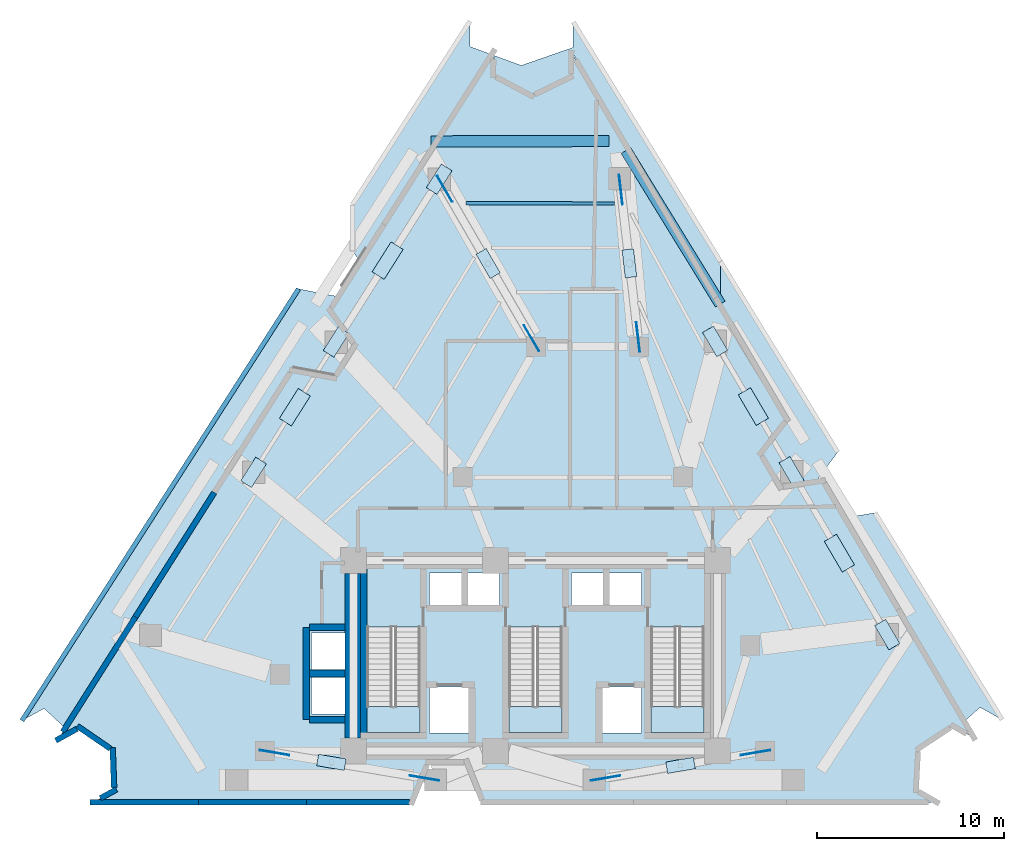
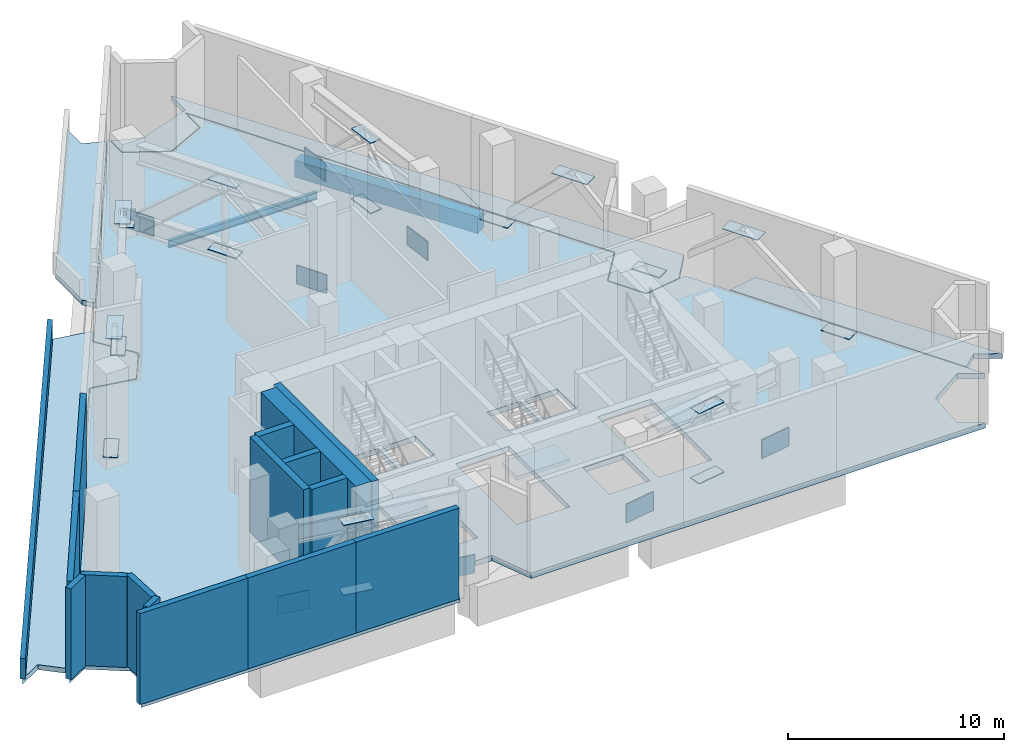
# One storey, part 6 of 9: 26 plates, 16 walls, 9 slabs, 3 beams, 3 elements without a shape of their own.
"""IFC4 building model written with IfcOpenShell, lengths in metres."""

from ifc_helpers import new_model, si_unit, direction, frame, frame_2d, origin, origin_2d, place, context, subcontext, project, spatial, polyline, rectangle, i_section, outline, extrude, material, layer, layer_set, material_profile, profile_set, type_object, element, aggregate, save


model = new_model("IFC4")

# Units and contexts
model_context = context("Model", 3, precision=1e-05, world=origin(), true_north=direction((0.0, 1.0)))
body_context = subcontext(model_context, "Body", "Model", "MODEL_VIEW")
ifc_project = project(units=[si_unit("LENGTHUNIT", "METRE"), si_unit("AREAUNIT", "SQUARE_METRE"), si_unit("VOLUMEUNIT", "CUBIC_METRE"), si_unit("PLANEANGLEUNIT", "RADIAN"), si_unit("MASSUNIT", "GRAM", prefix="KILO")], contexts=[model_context])

# Site, building, storey
site_placement = place(None, origin())
site = spatial("IfcSite", under=ifc_project, at=site_placement, CompositionType="ELEMENT")
building_placement = place(site_placement, origin())
building = spatial("IfcBuilding", under=site, at=building_placement, Name="Almagre Mirador Tower", CompositionType="ELEMENT")
storey_placement = place(building_placement, frame((0.0, 0.0, 105.0)))
storey = spatial("IfcBuildingStorey", under=building, at=storey_placement, Name="L26", CompositionType="ELEMENT", Elevation=105.0)

# Beams
ifc_material_1 = material(Name="Steel ASTM A992 Grade 50", Category="steel")
ifc_material_profile_1 = material_profile(ifc_material_1, i_section(OverallWidth=0.178955078125, OverallDepth=0.408935546875, WebThickness=0.0087890625, FlangeThickness=0.014404296875, FilletRadius=0.013916015625, at=origin_2d()), Name="W16X45")
ifc_profile_set_1 = profile_set([ifc_material_profile_1], Name="Steel ASTM A992 Grade 50")
beam_type_1 = type_object("IfcBeamType", Name="BM-JST-W16X45", PredefinedType="JOIST", material=ifc_profile_set_1)
beam_1_placement = place(storey_placement, frame((41.537109375, 33.8642578125, -0.50439453125), z_axis=(-0.999997694124, 0.002147497809, 0.0), x_axis=(-0.002147497809, -0.999997694124, 0.0)))
element("IfcBeam", 1, at=beam_1_placement, inside=storey, type_object=beam_type_1, Name="L26 secondary floor joist PC08-PC09.1", PredefinedType="JOIST", context=body_context, shape_type="SweptSolid", body=[
    extrude(i_section(OverallWidth=0.178955078125, OverallDepth=0.408935546875, WebThickness=0.0087890625, FlangeThickness=0.014404296875, FilletRadius=0.013916015625, at=origin_2d()), origin(), (0.0, 0.0, 1.0), 7.9580078125),
])
ifc_material_2 = material(Name="Precast concrete C50/60", Category="concrete")
ifc_material_profile_2 = material_profile(ifc_material_2, rectangle(XDim=0.60009765625, YDim=0.949951171875, at=origin_2d()), Name="RC600X950")
ifc_profile_set_2 = profile_set([ifc_material_profile_2], Name="Precast concrete C50/60")
beam_type_2 = type_object("IfcBeamType", Name="BM-SPN-RC600X950", PredefinedType="SPANDREL", material=ifc_profile_set_2)
beam_2_placement = place(storey_placement, frame((47.19189453125, 28.47900390625, -0.77490234375), z_axis=(-0.523685040843, 0.851911954369, 0.0), x_axis=(-0.851911954369, -0.523685040843, 0.0)))
element("IfcBeam", 2, at=beam_2_placement, inside=storey, type_object=beam_type_2, Name="L26 perimeter spandrel beam PC07-PC08", PredefinedType="SPANDREL", context=body_context, shape_type="SweptSolid", body=[
    extrude(rectangle(XDim=0.60009765625, YDim=0.949951171875, at=origin_2d()), origin(), (0.0, 0.0, 1.0), 9.646484375),
])
beam_3_placement = place(storey_placement, frame((41.22607421875, 37.206787109375, -0.77490234375), z_axis=(-0.999998482053, -0.001742380833, 0.0), x_axis=(0.001742380833, -0.999998482053, 0.0)))
element("IfcBeam", 3, at=beam_3_placement, inside=storey, type_object=beam_type_2, Name="L26 perimeter spandrel beam PC08-PC09", PredefinedType="SPANDREL", context=body_context, shape_type="SweptSolid", body=[
    extrude(rectangle(XDim=0.60009765625, YDim=0.949951171875, at=origin_2d()), origin(), (0.0, 0.0, 1.0), 9.528076171875),
])

# Plates
ifc_material_3 = material(Name="Steel ASTM A572 Grade 50", Category="steel")
ifc_layer_1 = layer(ifc_material_3, 0.035888671875)
ifc_layer_set_1 = layer_set([ifc_layer_1], Name="Steel ASTM A572 Grade 50")
plate_type_1 = type_object("IfcPlateType", Name="PLT-GUS-1350X900X36", PredefinedType="USERDEFINED", material=ifc_layer_set_1)
for number, where, z_axis, x_axis, name in (
    (4, (56.133056640625, 10.783935546875, 0.6318359375), (0.0, 0.0, 1.0), (-0.506334807353, 0.862336977557, 0.0), "L26 belt truss base gusset GP-BT-PC05"),
    (5, (51.012939453125, 19.50390625, 0.6318359375), (0.0, 0.0, 1.0), (-0.506334807353, 0.862336977557, 0.0), "L26 belt truss base gusset GP-BT-PC06"),
    (6, (46.9169921875, 26.47998046875, 0.6318359375), (0.0, 0.0, 1.0), (-0.506334807353, 0.862336977557, 0.0), "L26 belt truss base gusset GP-BT-PC07"),
    (7, (32.14208984375, 35.166015625, 0.6318359375), (0.0, 0.0, 1.0), (-0.53486859073, -0.84493525826, 0.0), "L26 belt truss base gusset GP-BT-PC09"),
    (8, (26.6220703125, 26.446044921875, 0.6318359375), (0.0, 0.0, 1.0), (-0.53486859073, -0.84493525826, 0.0), "L26 belt truss base gusset GP-BT-PC10"),
    (9, (22.2060546875, 19.469970703125, 0.6318359375), (0.0, 0.0, 1.0), (-0.53486859073, -0.84493525826, 0.0), "L26 belt truss base gusset GP-BT-PC11"),
):
    element("IfcPlate", number, at=place(storey_placement, frame(where, z_axis=z_axis, x_axis=x_axis)), inside=storey, type_object=plate_type_1, Name=name, ObjectType="GUSSET_PLATE", PredefinedType="USERDEFINED", context=body_context, shape_type="SweptSolid", body=[
        extrude(rectangle(XDim=1.5, YDim=0.679931640625, at=origin_2d()), origin(), (0.0, 0.0, 1.0), 0.035888671875),
    ])
ifc_material_4 = material(Name="Steel ASTM A572 Grade 50", Category="steel")
ifc_layer_2 = layer(ifc_material_4, 0.0400390625)
ifc_layer_set_2 = layer_set([ifc_layer_2], Name="Steel ASTM A572 Grade 50")
plate_type_2 = type_object("IfcPlateType", Name="PLT-GUS-1600X1050X40", PredefinedType="USERDEFINED", material=ifc_layer_set_2)
plate_1_placement = place(storey_placement, frame((31.352294921875, 3.100341796875, 0.125), z_axis=(0.0, 0.0, 1.0), x_axis=(-0.985934846906, 0.167130121929, 0.0)))
element("IfcPlate", 10, at=plate_1_placement, inside=storey, type_object=plate_type_2, Name="L26 outrigger node gusset plate GP-2.1.1", ObjectType="GUSSET_PLATE", PredefinedType="USERDEFINED", context=body_context, shape_type="SweptSolid", body=[
    extrude(rectangle(XDim=1.60009765625, YDim=0.0400390625, at=origin_2d()), origin(), (0.0, 0.0, 1.0), 1.050048828125),
])
for number, where, z_axis, x_axis, name in (
    (11, (26.370849609375, 3.944580078125, 0.6298828125), (0.0, 0.0, 1.0), (-0.985934846906, 0.167130121929, 0.0), "L26 outrigger bottom node gusset GP-B2.1.1"),
    (12, (26.370849609375, 3.944580078125, 4.58642578125), (0.0, 0.0, 1.0), (-0.985934846906, 0.167130121929, 0.0), "L26 outrigger top node gusset GP-T2.1.1"),
):
    element("IfcPlate", number, at=place(storey_placement, frame(where, z_axis=z_axis, x_axis=x_axis)), inside=storey, type_object=plate_type_2, Name=name, ObjectType="GUSSET_PLATE", PredefinedType="USERDEFINED", context=body_context, shape_type="SweptSolid", body=[
        extrude(rectangle(XDim=1.5, YDim=0.6201171875, at=origin_2d()), origin(), (0.0, 0.0, 1.0), 0.0400390625),
    ])
for number, where, z_axis, x_axis, name in (
    (13, (23.317626953125, 4.46240234375, 0.125), (0.0, 0.0, 1.0), (-0.985934846906, 0.167130121929, 0.0), "L26 outrigger core embed gusset plate GP-2.1.E"),
    (14, (41.047607421875, 3.100341796875, 0.125), (0.0, 0.0, 1.0), (0.985934846906, 0.167130121929, 0.0), "L26 outrigger node gusset plate GP-2.2.1"),
):
    element("IfcPlate", number, at=place(storey_placement, frame(where, z_axis=z_axis, x_axis=x_axis)), inside=storey, type_object=plate_type_2, Name=name, ObjectType="GUSSET_PLATE", PredefinedType="USERDEFINED", context=body_context, shape_type="SweptSolid", body=[
        extrude(rectangle(XDim=1.60009765625, YDim=0.0400390625, at=origin_2d()), origin(), (0.0, 0.0, 1.0), 1.050048828125),
    ])
for number, where, z_axis, x_axis, name in (
    (15, (45.06494140625, 3.78125, 0.6298828125), (0.0, 0.0, 1.0), (0.985934846906, 0.167130121929, 0.0), "L26 outrigger bottom node gusset GP-B2.2.1"),
    (16, (45.06494140625, 3.78125, 4.58642578125), (0.0, 0.0, 1.0), (0.985934846906, 0.167130121929, 0.0), "L26 outrigger top node gusset GP-T2.2.1"),
):
    element("IfcPlate", number, at=place(storey_placement, frame(where, z_axis=z_axis, x_axis=x_axis)), inside=storey, type_object=plate_type_2, Name=name, ObjectType="GUSSET_PLATE", PredefinedType="USERDEFINED", context=body_context, shape_type="SweptSolid", body=[
        extrude(rectangle(XDim=1.5, YDim=0.6201171875, at=origin_2d()), origin(), (0.0, 0.0, 1.0), 0.0400390625),
    ])
for number, where, z_axis, x_axis, name in (
    (17, (49.08251953125, 4.46240234375, 0.125), (0.0, 0.0, 1.0), (0.985934846906, 0.167130121929, 0.0), "L26 outrigger core embed gusset plate GP-2.2.E"),
    (18, (41.86669921875, 34.60400390625, 0.125), (0.0, 0.0, 1.0), (0.11620270352, -0.993225519051, 0.0), "L26 outrigger node gusset plate GP-2.3.1"),
):
    element("IfcPlate", number, at=place(storey_placement, frame(where, z_axis=z_axis, x_axis=x_axis)), inside=storey, type_object=plate_type_2, Name=name, ObjectType="GUSSET_PLATE", PredefinedType="USERDEFINED", context=body_context, shape_type="SweptSolid", body=[
        extrude(rectangle(XDim=1.60009765625, YDim=0.0400390625, at=origin_2d()), origin(), (0.0, 0.0, 1.0), 1.050048828125),
    ])
for number, where, z_axis, x_axis, name in (
    (19, (42.327880859375, 30.662841796875, 0.6298828125), (0.0, 0.0, 1.0), (0.11620270352, -0.993225519051, 0.0), "L26 outrigger bottom node gusset GP-B2.3.1"),
    (20, (42.327880859375, 30.662841796875, 4.58642578125), (0.0, 0.0, 1.0), (0.11620270352, -0.993225519051, 0.0), "L26 outrigger top node gusset GP-T2.3.1"),
):
    element("IfcPlate", number, at=place(storey_placement, frame(where, z_axis=z_axis, x_axis=x_axis)), inside=storey, type_object=plate_type_2, Name=name, ObjectType="GUSSET_PLATE", PredefinedType="USERDEFINED", context=body_context, shape_type="SweptSolid", body=[
        extrude(rectangle(XDim=1.5, YDim=0.6201171875, at=origin_2d()), origin(), (0.0, 0.0, 1.0), 0.0400390625),
    ])
for number, where, z_axis, x_axis, name in (
    (21, (42.7890625, 26.721435546875, 0.125), (0.0, 0.0, 1.0), (0.11620270352, -0.993225519051, 0.0), "L26 outrigger core embed gusset plate GP-2.3.E"),
    (22, (32.443359375, 34.647216796875, 0.125), (0.0, 0.0, 1.0), (0.502265533143, -0.86471344052, 0.0), "L26 outrigger node gusset plate GP-2.4.1"),
):
    element("IfcPlate", number, at=place(storey_placement, frame(where, z_axis=z_axis, x_axis=x_axis)), inside=storey, type_object=plate_type_2, Name=name, ObjectType="GUSSET_PLATE", PredefinedType="USERDEFINED", context=body_context, shape_type="SweptSolid", body=[
        extrude(rectangle(XDim=1.60009765625, YDim=0.0400390625, at=origin_2d()), origin(), (0.0, 0.0, 1.0), 1.050048828125),
    ])
for number, where, z_axis, x_axis, name in (
    (23, (34.764892578125, 30.650634765625, 0.6298828125), (0.0, 0.0, 1.0), (0.502265533143, -0.86471344052, 0.0), "L26 outrigger bottom node gusset GP-B2.4.1"),
    (24, (34.764892578125, 30.650634765625, 4.58642578125), (0.0, 0.0, 1.0), (0.502265533143, -0.86471344052, 0.0), "L26 outrigger top node gusset GP-T2.4.1"),
):
    element("IfcPlate", number, at=place(storey_placement, frame(where, z_axis=z_axis, x_axis=x_axis)), inside=storey, type_object=plate_type_2, Name=name, ObjectType="GUSSET_PLATE", PredefinedType="USERDEFINED", context=body_context, shape_type="SweptSolid", body=[
        extrude(rectangle(XDim=1.5, YDim=0.6201171875, at=origin_2d()), origin(), (0.0, 0.0, 1.0), 0.0400390625),
    ])
plate_2_placement = place(storey_placement, frame((37.086181640625, 26.654052734375, 0.125), z_axis=(0.0, 0.0, 1.0), x_axis=(0.502265533143, -0.86471344052, 0.0)))
element("IfcPlate", 25, at=plate_2_placement, inside=storey, type_object=plate_type_2, Name="L26 outrigger core embed gusset plate GP-2.4.E", ObjectType="GUSSET_PLATE", PredefinedType="USERDEFINED", context=body_context, shape_type="SweptSolid", body=[
    extrude(rectangle(XDim=1.60009765625, YDim=0.0400390625, at=origin_2d()), origin(), (0.0, 0.0, 1.0), 1.050048828125),
])
for number, where, z_axis, x_axis, name in (
    (26, (53.572998046875, 15.14404296875, 4.58642578125), (0.0, 0.0, 1.0), (-0.506334807353, 0.862336977557, 0.0), "L26 belt truss apex node gusset GP-BT-1"),
    (27, (48.965087890625, 22.991943359375, 4.58642578125), (0.0, 0.0, 1.0), (-0.506334807353, 0.862336977557, 0.0), "L26 belt truss apex node gusset GP-BT-2"),
    (28, (29.382080078125, 30.805908203125, 4.58642578125), (0.0, 0.0, 1.0), (-0.53486859073, -0.84493525826, 0.0), "L26 belt truss apex node gusset GP-BT-3"),
    (29, (24.4140625, 22.9580078125, 4.58642578125), (0.0, 0.0, 1.0), (-0.53486859073, -0.84493525826, 0.0), "L26 belt truss apex node gusset GP-BT-4"),
):
    element("IfcPlate", number, at=place(storey_placement, frame(where, z_axis=z_axis, x_axis=x_axis)), inside=storey, type_object=plate_type_2, Name=name, ObjectType="GUSSET_PLATE", PredefinedType="USERDEFINED", context=body_context, shape_type="SweptSolid", body=[
        extrude(rectangle(XDim=1.89990234375, YDim=0.760009765625, at=origin_2d()), origin(), (0.0, 0.0, 1.0), 0.0400390625),
    ])

# Slab
ifc_material_5 = material(Name="Concrete C45/55", Category="concrete")
ifc_layer_3 = layer(ifc_material_5, 0.300048828125)
ifc_layer_set_3 = layer_set([ifc_layer_3], Name="Concrete C45/55")
slab_type_1 = type_object("IfcSlabType", Name="SLB-FLR-300", PredefinedType="FLOOR", material=ifc_layer_set_3)
slab_1_placement = place(storey_placement, frame((0.0, 0.0, -0.300048828125)))
element("IfcSlab", 30, at=slab_1_placement, inside=storey, type_object=slab_type_1, Name="L26 structural floor slab", PredefinedType="FLOOR", context=body_context, shape_type="SweptSolid", body=[
    extrude(outline(polyline([(11.739013671875, 5.179931640625), (12.883056640625, 5.80908203125), (14.6630859375, 4.5869140625), (14.742919921875, 2.428955078125), (13.60009765625, 1.800048828125), (30.68408203125, 1.800048828125), (31.5390625, 3.949951171875), (33.62890625, 3.949951171875), (34.48388671875, 1.800048828125), (58.800048828125, 1.800048828125), (57.6669921875, 2.447998046875), (57.783935546875, 4.672119140625), (59.64208984375, 5.89794921875), (60.77490234375, 5.2490234375), (52.68603515625, 19.02490234375), (50.39892578125, 18.674072265625), (49.341064453125, 20.47607421875), (50.761962890625, 22.302001953125), (39.22509765625, 41.950927734375), (39.2041015625, 40.64599609375), (37.10302734375, 39.62109375), (35.0390625, 40.715087890625), (35.06103515625, 42.02001953125), (26.281982421875, 28.153076171875), (27.64111328125, 26.280029296875), (26.52294921875, 24.513916015625), (24.2490234375, 24.94189453125), (11.739013671875, 5.179931640625)]), holes=[polyline([(43.47509765625, 5.550048828125), (43.47509765625, 11.196044921875), (46.324951171875, 11.196044921875), (46.324951171875, 5.550048828125), (43.47509765625, 5.550048828125)]), polyline([(40.820068359375, 5.52001953125), (40.820068359375, 7.97998046875), (42.97998046875, 7.97998046875), (42.97998046875, 5.52001953125), (40.820068359375, 5.52001953125)]), polyline([(41.219970703125, 12.320068359375), (41.219970703125, 14.080078125), (42.97998046875, 14.080078125), (42.97998046875, 12.320068359375), (41.219970703125, 12.320068359375)]), polyline([(39.219970703125, 12.320068359375), (39.219970703125, 14.080078125), (40.97998046875, 14.080078125), (40.97998046875, 12.320068359375), (39.219970703125, 12.320068359375)]), polyline([(35.875, 11.196044921875), (38.72509765625, 11.196044921875), (38.72509765625, 5.550048828125), (35.875, 5.550048828125), (35.875, 11.196044921875)]), polyline([(35.3798828125, 12.320068359375), (33.6201171875, 12.320068359375), (33.6201171875, 14.080078125), (35.3798828125, 14.080078125), (35.3798828125, 12.320068359375)]), polyline([(33.780029296875, 5.52001953125), (31.6201171875, 5.52001953125), (31.6201171875, 7.97998046875), (33.780029296875, 7.97998046875), (33.780029296875, 5.52001953125)]), polyline([(31.6201171875, 12.320068359375), (31.6201171875, 14.080078125), (33.3798828125, 14.080078125), (33.3798828125, 12.320068359375), (31.6201171875, 12.320068359375)]), polyline([(28.27490234375, 5.550048828125), (28.27490234375, 11.196044921875), (31.125, 11.196044921875), (31.125, 5.550048828125), (28.27490234375, 5.550048828125)]), polyline([(25.320068359375, 8.919921875), (25.320068359375, 10.8798828125), (27.3798828125, 10.8798828125), (27.3798828125, 8.919921875), (25.320068359375, 8.919921875)]), polyline([(27.3798828125, 6.52001953125), (25.320068359375, 6.52001953125), (25.320068359375, 8.47998046875), (27.3798828125, 8.47998046875), (27.3798828125, 6.52001953125)])]), origin(), (0.0, 0.0, 1.0), 0.300048828125),
])

# Stair, slab
ifc_material_6 = material(Name="Concrete C45/55", Category="concrete")
stair_type = type_object("IfcStairType", Name="STR-DL-5400", PredefinedType="HALF_TURN_STAIR", material=ifc_material_6)
stair_1_placement = place(storey_placement, origin())
stair_1 = element("IfcStair", 31, at=stair_1_placement, inside=storey, type_object=stair_type, Name="L26 Protected exit stair ST-1", PredefinedType="HALF_TURN_STAIR")
ifc_material_7 = material(Name="Concrete C45/55", Category="concrete")
ifc_layer_4 = layer(ifc_material_7, 0.199951171875)
ifc_layer_set_4 = layer_set([ifc_layer_4], Name="Concrete C45/55")
slab_type_2 = type_object("IfcSlabType", Name="SLB-LND-200", PredefinedType="LANDING", material=ifc_layer_set_4)
slab_2_placement = place(storey_placement, frame((0.0, 0.0, 2.5)))
slab_2 = element("IfcSlab", 32, at=slab_2_placement, type_object=slab_type_2, Name="ST-1 landing 1", PredefinedType="LANDING", context=body_context, shape_type="SweptSolid", body=[
    extrude(outline(polyline([(28.27490234375, 6.925048828125), (28.27490234375, 5.550048828125), (31.125, 5.550048828125), (31.125, 6.925048828125), (28.27490234375, 6.925048828125)])), origin(), (0.0, 0.0, 1.0), 0.199951171875),
])
aggregate(stair_1, [slab_2])

stair_2_placement = place(storey_placement, origin())
stair_2 = element("IfcStair", 33, at=stair_2_placement, inside=storey, type_object=stair_type, Name="L26 Protected exit stair ST-2", PredefinedType="HALF_TURN_STAIR")
slab_3_placement = place(storey_placement, frame((0.0, 0.0, 2.5)))
slab_3 = element("IfcSlab", 34, at=slab_3_placement, type_object=slab_type_2, Name="ST-2 landing 1", PredefinedType="LANDING", context=body_context, shape_type="SweptSolid", body=[
    extrude(outline(polyline([(35.875, 6.925048828125), (35.875, 5.550048828125), (38.72509765625, 5.550048828125), (38.72509765625, 6.925048828125), (35.875, 6.925048828125)])), origin(), (0.0, 0.0, 1.0), 0.199951171875),
])
aggregate(stair_2, [slab_3])

stair_3_placement = place(storey_placement, origin())
stair_3 = element("IfcStair", 35, at=stair_3_placement, inside=storey, type_object=stair_type, Name="L26 Protected exit stair ST-3", PredefinedType="HALF_TURN_STAIR")
slab_4_placement = place(storey_placement, frame((0.0, 0.0, 2.5)))
slab_4 = element("IfcSlab", 36, at=slab_4_placement, type_object=slab_type_2, Name="ST-3 landing 1", PredefinedType="LANDING", context=body_context, shape_type="SweptSolid", body=[
    extrude(outline(polyline([(43.47509765625, 6.925048828125), (43.47509765625, 5.550048828125), (46.324951171875, 5.550048828125), (46.324951171875, 6.925048828125), (43.47509765625, 6.925048828125)])), origin(), (0.0, 0.0, 1.0), 0.199951171875),
])
aggregate(stair_3, [slab_4])

# Slabs
ifc_material_8 = material(Name="Concrete C45/55", Category="concrete")
ifc_layer_5 = layer(ifc_material_8, 0.280029296875)
ifc_layer_set_5 = layer_set([ifc_layer_5], Name="Concrete C45/55")
slab_type_3 = type_object("IfcSlabType", Name="SLB-TER-280", PredefinedType="ROOF", material=ifc_layer_set_5)
slab_5_placement = place(storey_placement, frame((0.0, 0.0, -0.280029296875)))
element("IfcSlab", 37, at=slab_5_placement, inside=storey, type_object=slab_type_3, Name="L26 step-back sky terrace roof slab 1", PredefinedType="ROOF", context=body_context, shape_type="SweptSolid", body=[
    extrude(outline(polyline([(10.989990234375, 6.825927734375), (12.087890625, 5.80615234375), (24.215087890625, 24.96337890625), (24.217529296875, 24.966552734375), (24.22021484375, 24.969482421875), (24.222900390625, 24.972412109375), (24.22607421875, 24.974853515625), (24.2294921875, 24.976806640625), (24.23291015625, 24.978759765625), (24.23681640625, 24.97998046875), (24.240478515625, 24.981201171875), (24.244384765625, 24.981689453125), (24.24853515625, 24.98193359375), (24.25244140625, 24.981689453125), (24.25634765625, 24.981201171875), (26.503662109375, 24.558349609375), (27.5, 26.132080078125), (27.5, 26.40625), (26.24951171875, 28.12939453125), (26.24755859375, 28.1328125), (26.24560546875, 28.136474609375), (26.244140625, 28.14013671875), (26.2431640625, 28.143798828125), (26.2421875, 28.147705078125), (26.241943359375, 28.151611328125), (26.2421875, 28.15576171875), (26.24267578125, 28.15966796875), (26.243408203125, 28.16357421875), (26.24462890625, 28.167236328125), (26.24609375, 28.1708984375), (26.248291015625, 28.17431640625), (26.69921875, 28.886962890625), (24.613037109375, 29.291015625), (9.804931640625, 6.177978515625), (10.989990234375, 6.825927734375)])), origin(), (0.0, 0.0, 1.0), 0.280029296875),
])
slab_6_placement = place(storey_placement, frame((0.0, 0.0, -0.280029296875)))
element("IfcSlab", 38, at=slab_6_placement, inside=storey, type_object=slab_type_3, Name="L26 step-back sky terrace roof slab 2", PredefinedType="ROOF", context=body_context, shape_type="SweptSolid", body=[
    extrude(outline(polyline([(27.5, 33.79736328125), (27.5, 31.324462890625), (27.89453125, 30.77490234375), (34.909912109375, 41.856201171875), (33.781982421875, 42.27197265625), (33.794921875, 43.6220703125), (27.5, 33.79736328125)])), origin(), (0.0, 0.0, 1.0), 0.280029296875),
])
slab_7_placement = place(storey_placement, frame((0.0, 0.0, -0.280029296875)))
element("IfcSlab", 39, at=slab_7_placement, inside=storey, type_object=slab_type_3, Name="L26 step-back sky terrace roof slab 3", PredefinedType="ROOF", context=body_context, shape_type="SweptSolid", body=[
    extrude(outline(polyline([(36.537109375, 41.256103515625), (35.09716796875, 41.787109375), (35.079345703125, 40.739013671875), (37.103759765625, 39.666015625), (39.164306640625, 40.671142578125), (39.18505859375, 41.95166015625), (39.185302734375, 41.95556640625), (39.185791015625, 41.959716796875), (39.18701171875, 41.96337890625), (39.1884765625, 41.967041015625), (39.190185546875, 41.970703125), (39.1923828125, 41.97412109375), (39.19482421875, 41.977294921875), (39.197509765625, 41.97998046875), (39.20068359375, 41.982666015625), (39.203857421875, 41.985107421875), (39.207275390625, 41.98681640625), (39.2109375, 41.988525390625), (39.21484375, 41.98974609375), (39.21875, 41.990478515625), (39.22265625, 41.990966796875), (39.226806640625, 41.990966796875), (39.230712890625, 41.990478515625), (39.234619140625, 41.98974609375), (39.23828125, 41.98876953125), (39.2421875, 41.9873046875), (39.24560546875, 41.9853515625), (39.248779296875, 41.983154296875), (39.251953125, 41.98046875), (39.2548828125, 41.977783203125), (39.25732421875, 41.974609375), (39.259521484375, 41.97119140625), (47.199951171875, 28.447509765625), (47.199951171875, 30.75634765625), (39.322998046875, 43.570068359375), (39.31103515625, 42.219970703125), (36.537109375, 41.256103515625)])), origin(), (0.0, 0.0, 1.0), 0.280029296875),
])
slab_8_placement = place(storey_placement, frame((0.0, 0.0, -0.280029296875)))
element("IfcSlab", 40, at=slab_8_placement, inside=storey, type_object=slab_type_3, Name="L26 step-back sky terrace roof slab 4", PredefinedType="ROOF", context=body_context, shape_type="SweptSolid", body=[
    extrude(outline(polyline([(47.199951171875, 30.75634765625), (47.199951171875, 28.447509765625), (50.79638671875, 22.322265625), (50.79833984375, 22.318603515625), (50.7998046875, 22.31494140625), (50.80078125, 22.311279296875), (50.801513671875, 22.307373046875), (50.802001953125, 22.303466796875), (50.802001953125, 22.29931640625), (50.801513671875, 22.29541015625), (50.800537109375, 22.29150390625), (50.79931640625, 22.287841796875), (50.7978515625, 22.2841796875), (50.7958984375, 22.28076171875), (50.793701171875, 22.27734375), (49.38916015625, 20.472900390625), (50.419921875, 18.7177734375), (52.333984375, 19.011474609375), (53.47802734375, 20.5439453125), (47.199951171875, 30.75634765625)])), origin(), (0.0, 0.0, 1.0), 0.280029296875),
])
slab_9_placement = place(storey_placement, frame((0.0, 0.0, -0.280029296875)))
element("IfcSlab", 41, at=slab_9_placement, inside=storey, type_object=slab_type_3, Name="L26 step-back sky terrace roof slab 5", PredefinedType="ROOF", context=body_context, shape_type="SweptSolid", body=[
    extrude(outline(polyline([(55.468017578125, 17.306884765625), (53.901611328125, 17.03369140625), (60.2890625, 6.155517578125), (61.09912109375, 6.888916015625), (62.277099609375, 6.22998046875), (55.468017578125, 17.306884765625)])), origin(), (0.0, 0.0, 1.0), 0.280029296875),
])

# Walls
ifc_material_9 = material(Name="Precast concrete C50/60", Category="concrete")
ifc_layer_6 = layer(ifc_material_9, 0.300048828125)
ifc_layer_set_6 = layer_set([ifc_layer_6], Name="Precast concrete C50/60")
wall_type_1 = type_object("IfcWallType", Name="WAL-EXT-300", PredefinedType="SOLIDWALL", material=ifc_layer_set_6)
wall_1_placement = place(storey_placement, frame((30.549072265625, 1.800048828125, 0.0), z_axis=(0.0, 0.0, 1.0), x_axis=(-1.0, 0.0, 0.0)))
element("IfcWall", 42, at=wall_1_placement, inside=storey, type_object=wall_type_1, Name="L26 expressed almagre precast frame wall 30", PredefinedType="SOLIDWALL", context=body_context, shape_type="SweptSolid", body=[
    extrude(rectangle(XDim=5.51318359375, YDim=0.300048828125, at=frame_2d((2.756591796875, 0.0))), origin(), (0.0, 0.0, 1.0), 5.14990234375),
])
wall_2_placement = place(storey_placement, frame((25.035888671875, 1.800048828125, 0.0), z_axis=(0.0, 0.0, 1.0), x_axis=(-1.0, 0.0, 0.0)))
element("IfcWall", 43, at=wall_2_placement, inside=storey, type_object=wall_type_1, Name="L26 expressed almagre precast frame wall 31", PredefinedType="SOLIDWALL", context=body_context, shape_type="SweptSolid", body=[
    extrude(rectangle(XDim=5.787841796875, YDim=0.300048828125, at=frame_2d((2.89404296875, 0.0))), origin(), (0.0, 0.0, 1.0), 5.14990234375),
])
wall_3_placement = place(storey_placement, frame((19.248046875, 1.800048828125, 0.0), z_axis=(0.0, 0.0, 1.0), x_axis=(-1.0, 0.0, 0.0)))
element("IfcWall", 44, at=wall_3_placement, inside=storey, type_object=wall_type_1, Name="L26 expressed almagre precast frame wall 32", PredefinedType="SOLIDWALL", context=body_context, shape_type="SweptSolid", body=[
    extrude(rectangle(XDim=5.7880859375, YDim=0.300048828125, at=frame_2d((2.89404296875, 0.0))), origin(), (0.0, 0.0, 1.0), 5.14990234375),
])
wall_4_placement = place(storey_placement, frame((14.00732421875, 2.024169921875, 0.0), z_axis=(0.0, 0.0, 1.0), x_axis=(0.876089618579, 0.482148296914, 0.0)))
element("IfcWall", 45, at=wall_4_placement, inside=storey, type_object=wall_type_1, Name="L26 expressed almagre precast frame wall 33", PredefinedType="SOLIDWALL", context=body_context, shape_type="SweptSolid", body=[
    extrude(rectangle(XDim=0.979736328125, YDim=0.300048828125, at=frame_2d((0.48974609375, 0.0))), origin(), (0.0, 0.0, 1.0), 5.14990234375),
])
wall_5_placement = place(storey_placement, frame((14.737548828125, 2.578857421875, 0.0), z_axis=(0.0, 0.0, 1.0), x_axis=(-0.037141892545, 0.99931000186, 0.0)))
element("IfcWall", 46, at=wall_5_placement, inside=storey, type_object=wall_type_1, Name="L26 expressed almagre precast frame wall 34", PredefinedType="SOLIDWALL", context=body_context, shape_type="SweptSolid", body=[
    extrude(rectangle(XDim=2.1494140625, YDim=0.300048828125, at=frame_2d((1.07470703125, 0.0))), origin(), (0.0, 0.0, 1.0), 5.14990234375),
])
wall_6_placement = place(storey_placement, frame((14.539306640625, 4.671875, 0.0), z_axis=(0.0, 0.0, 1.0), x_axis=(-0.824422928204, 0.565974235678, 0.0)))
element("IfcWall", 47, at=wall_6_placement, inside=storey, type_object=wall_type_1, Name="L26 expressed almagre precast frame wall 35", PredefinedType="SOLIDWALL", context=body_context, shape_type="SweptSolid", body=[
    extrude(rectangle(XDim=2.149169921875, YDim=0.300048828125, at=frame_2d((1.07470703125, 0.0))), origin(), (0.0, 0.0, 1.0), 5.14990234375),
])
wall_7_placement = place(storey_placement, frame((12.751708984375, 5.73681640625, 0.0), z_axis=(0.0, 0.0, 1.0), x_axis=(-0.876299432815, -0.481766856527, 0.0)))
element("IfcWall", 48, at=wall_7_placement, inside=storey, type_object=wall_type_1, Name="L26 expressed almagre precast frame wall 36", PredefinedType="SOLIDWALL", context=body_context, shape_type="SweptSolid", body=[
    extrude(rectangle(XDim=1.2958984375, YDim=0.300048828125, at=frame_2d((0.64794921875, 0.0))), origin(), (0.0, 0.0, 1.0), 5.14990234375),
])
wall_8_placement = place(storey_placement, frame((11.990478515625, 5.5771484375, 0.0), z_axis=(0.0, 0.0, 1.0), x_axis=(0.534870945386, 0.844933767689, 0.0)))
element("IfcWall", 49, at=wall_8_placement, inside=storey, type_object=wall_type_1, Name="L26 expressed almagre precast frame wall 37", PredefinedType="SOLIDWALL", context=body_context, shape_type="SweptSolid", body=[
    extrude(rectangle(XDim=7.279541015625, YDim=0.300048828125, at=frame_2d((3.6396484375, 0.0))), origin(), (0.0, 0.0, 1.0), 5.14990234375),
])
wall_9_placement = place(storey_placement, frame((15.884033203125, 11.727783203125, 0.0), z_axis=(0.0, 0.0, 1.0), x_axis=(0.534871703897, 0.844933287527, 0.0)))
element("IfcWall", 50, at=wall_9_placement, inside=storey, type_object=wall_type_1, Name="L26 expressed almagre precast frame wall 38", PredefinedType="SOLIDWALL", context=body_context, shape_type="SweptSolid", body=[
    extrude(rectangle(XDim=7.8896484375, YDim=0.300048828125, at=frame_2d((3.94482421875, 0.0))), origin(), (0.0, 0.0, 1.0), 5.14990234375),
])
ifc_material_10 = material(Name="Precast concrete C50/60", Category="concrete")
ifc_layer_7 = layer(ifc_material_10, 0.25)
ifc_layer_set_7 = layer_set([ifc_layer_7], Name="Precast concrete C50/60")
wall_type_2 = type_object("IfcWallType", Name="WAL-PAR-250", PredefinedType="PARAPET", material=ifc_layer_set_7)
wall_10_placement = place(storey_placement, frame((9.804931640625, 6.177978515625, 0.0), z_axis=(0.0, 0.0, 1.0), x_axis=(0.539460983853, 0.842010597855, 0.0)))
element("IfcWall", 51, at=wall_10_placement, inside=storey, type_object=wall_type_2, Name="L26 terrace precast parapet 1.1", PredefinedType="PARAPET", context=body_context, shape_type="SweptSolid", body=[
    extrude(rectangle(XDim=27.44970703125, YDim=0.25, at=frame_2d((13.724853515625, 0.0))), origin(), (0.0, 0.0, 1.0), 1.14990234375),
])
ifc_material_11 = material(Name="Concrete C60/75", Category="concrete")
ifc_layer_8 = layer(ifc_material_11, 0.35009765625)
ifc_layer_set_8 = layer_set([ifc_layer_8], Name="Concrete C60/75")
wall_type_3 = type_object("IfcWallType", Name="WAL-SHF-350", PredefinedType="SOLIDWALL", material=ifc_layer_set_8)
wall_11_placement = place(storey_placement, frame((28.10009765625, 5.199951171875, 0.0), z_axis=(0.0, 0.0, 1.0), x_axis=(0.0, 1.0, 0.0)))
element("IfcWall", 52, at=wall_11_placement, inside=storey, type_object=wall_type_3, Name="L26 shaft wall ST1-W", PredefinedType="SOLIDWALL", context=body_context, shape_type="SweptSolid", body=[
    extrude(rectangle(XDim=9.10009765625, YDim=0.35009765625, at=frame_2d((4.550048828125, 0.0))), origin(), (0.0, 0.0, 1.0), 5.39990234375),
])
wall_12_placement = place(storey_placement, frame((25.02490234375, 6.22509765625, 0.0), z_axis=(0.0, 0.0, 1.0), x_axis=(0.0, 1.0, 0.0)))
element("IfcWall", 53, at=wall_12_placement, inside=storey, type_object=wall_type_3, Name="L26 shaft wall OL-W", PredefinedType="SOLIDWALL", context=body_context, shape_type="SweptSolid", body=[
    extrude(rectangle(XDim=4.949951171875, YDim=0.35009765625, at=frame_2d((2.47509765625, 0.0))), origin(), (0.0, 0.0, 1.0), 5.39990234375),
])
for number, where, z_axis, x_axis, name in (
    (54, (25.199951171875, 6.22509765625, 0.0), (0.0, 0.0, 1.0), (1.0, 0.0, 0.0), "L26 shaft wall OL-S"),
    (55, (25.199951171875, 8.699951171875, 0.0), (0.0, 0.0, 1.0), (1.0, 0.0, 0.0), "L26 shaft wall OL-M"),
    (56, (25.199951171875, 11.175048828125, 0.0), (0.0, 0.0, 1.0), (1.0, 0.0, 0.0), "L26 shaft wall OL-N"),
):
    element("IfcWall", number, at=place(storey_placement, frame(where, z_axis=z_axis, x_axis=x_axis)), inside=storey, type_object=wall_type_3, Name=name, PredefinedType="SOLIDWALL", context=body_context, shape_type="SweptSolid", body=[
        extrude(rectangle(XDim=1.900146484375, YDim=0.35009765625, at=frame_2d((0.9501953125, 0.0))), origin(), (0.0, 0.0, 1.0), 5.39990234375),
    ])
ifc_material_12 = material(Name="Concrete C70/85", Category="concrete")
ifc_layer_9 = layer(ifc_material_12, 0.89990234375)
ifc_layer_set_9 = layer_set([ifc_layer_9], Name="Concrete C70/85")
wall_type_4 = type_object("IfcWallType", Name="WAL-SHR-900", PredefinedType="SHEAR", material=ifc_layer_set_9)
wall_13_placement = place(storey_placement, frame((27.550048828125, 5.25, 0.0), z_axis=(0.0, 0.0, 1.0), x_axis=(0.0, 1.0, 0.0)))
element("IfcWall", 57, at=wall_13_placement, inside=storey, type_object=wall_type_4, Name="L26 core shear wall W1", PredefinedType="SHEAR", context=body_context, shape_type="SweptSolid", body=[
    extrude(rectangle(XDim=8.800048828125, YDim=0.89990234375, at=frame_2d((4.39990234375, 0.0))), origin(), (0.0, 0.0, 1.0), 5.39990234375),
])

save(model, "model.ifc")
